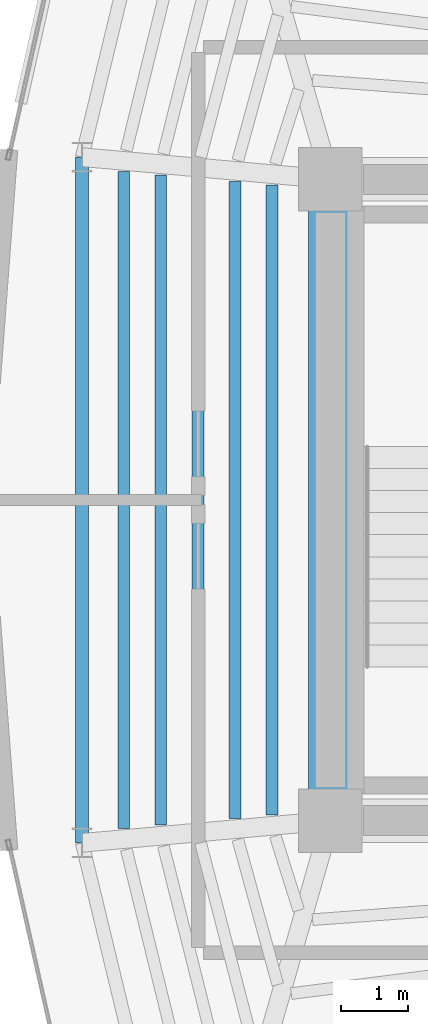
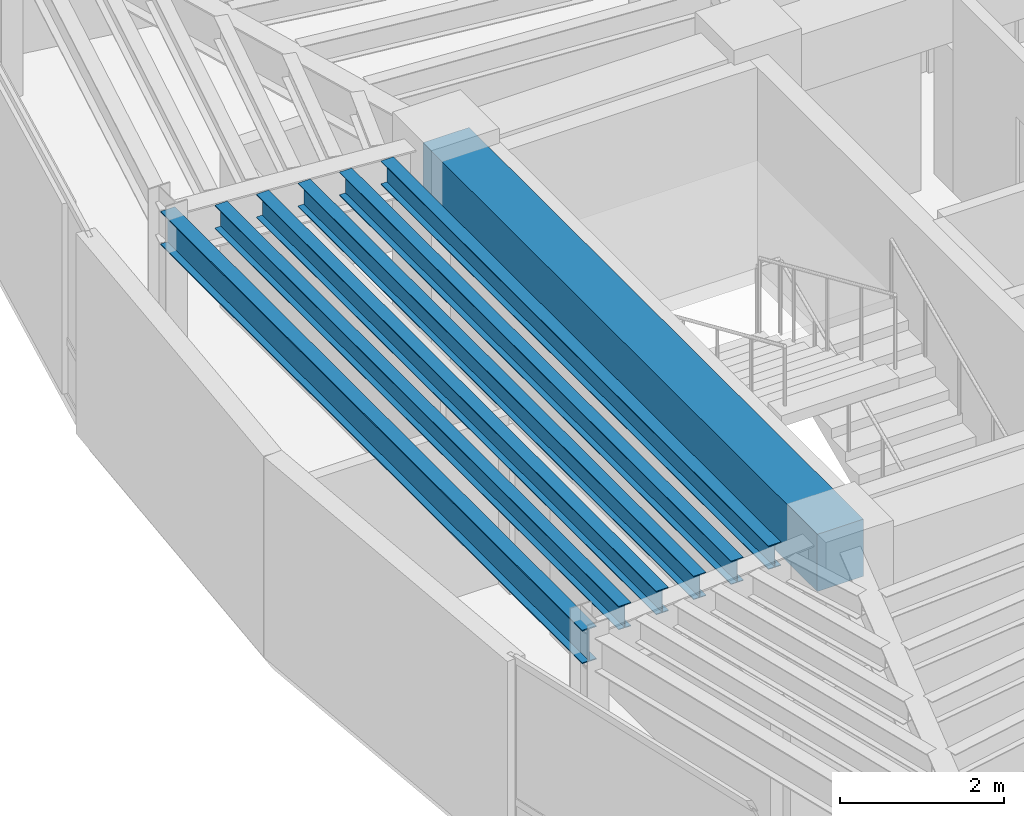
# One storey, part 4 of 14: 7 beams.
"""IFC4 building model written with IfcOpenShell, lengths in metres."""

from ifc_helpers import new_model, si_unit, direction, frame, origin, origin_2d, place, context, subcontext, project, spatial, rectangle, i_section, extrude, material, material_profile, profile_set, type_object, element, save


model = new_model("IFC4")

# Units and contexts
model_context = context("Model", 3, precision=1e-05, world=origin(), true_north=direction((0.0, 1.0)))
body_context = subcontext(model_context, "Body", "Model", "MODEL_VIEW")
ifc_project = project(units=[si_unit("LENGTHUNIT", "METRE"), si_unit("AREAUNIT", "SQUARE_METRE"), si_unit("VOLUMEUNIT", "CUBIC_METRE"), si_unit("PLANEANGLEUNIT", "RADIAN"), si_unit("MASSUNIT", "GRAM", prefix="KILO")], contexts=[model_context])

# Site, building, storey
site_placement = place(None, origin())
site = spatial("IfcSite", under=ifc_project, at=site_placement, CompositionType="ELEMENT")
building_placement = place(site_placement, origin())
building = spatial("IfcBuilding", under=site, at=building_placement, Name="Menara Vayukalpa", CompositionType="ELEMENT")
storey_placement = place(building_placement, frame((0.0, 0.0, 302.419921875)))
storey = spatial("IfcBuildingStorey", under=building, at=storey_placement, Name="L77", CompositionType="ELEMENT", Elevation=302.419921875)

# Beams
ifc_material_1 = material(Name="Concrete C60/75", Category="concrete")
ifc_material_profile_1 = material_profile(ifc_material_1, rectangle(XDim=0.64990234375, YDim=0.85009765625, at=origin_2d()), Name="RC 650x850")
ifc_profile_set_1 = profile_set([ifc_material_profile_1], Name="Concrete C60/75")
beam_type_1 = type_object("IfcBeamType", Name="BM-CB1", PredefinedType="BEAM", material=ifc_profile_set_1)
beam_1_placement = place(storey_placement, frame((17.800048828125, 17.199951171875, 2.55517578125), z_axis=(0.0, 1.0, 0.0), x_axis=(-1.0, 0.0, 0.0)))
element("IfcBeam", 1, at=beam_1_placement, inside=storey, type_object=beam_type_1, Name="L77 Core Tie Beam CBR7", PredefinedType="BEAM", context=body_context, shape_type="SweptSolid", body=[
    extrude(rectangle(XDim=0.64990234375, YDim=0.85009765625, at=origin_2d()), origin(), (0.0, 0.0, 1.0), 9.60009765625),
])
ifc_material_2 = material(Name="Steel S355", Category="steel")
ifc_material_profile_2 = material_profile(ifc_material_2, i_section(OverallWidth=0.175048828125, OverallDepth=0.35009765625, WebThickness=0.007080078125, FlangeThickness=0.010986328125, at=origin_2d()), Name="WF 350x175x7x11")
ifc_profile_set_2 = profile_set([ifc_material_profile_2], Name="Steel S355")
beam_type_2 = type_object("IfcBeamType", Name="BM-SJ3", PredefinedType="JOIST", material=ifc_profile_set_2)
beam_2_placement = place(storey_placement, frame((16.926513671875, 26.71826171875, 2.80517578125), z_axis=(0.0, -1.0, 0.0), x_axis=(1.0, 0.0, 0.0)))
element("IfcBeam", 2, at=beam_2_placement, inside=storey, type_object=beam_type_2, Name="L77 Secondary Floor Joist SJ05-1", PredefinedType="JOIST", context=body_context, shape_type="SweptSolid", body=[
    extrude(i_section(OverallWidth=0.175048828125, OverallDepth=0.35009765625, WebThickness=0.007080078125, FlangeThickness=0.010986328125, at=origin_2d()), origin(), (0.0, 0.0, 1.0), 9.4365234375),
])
beam_3_placement = place(storey_placement, frame((16.371337890625, 26.767822265625, 2.80517578125), z_axis=(0.0, -1.0, 0.0), x_axis=(1.0, 0.0, 0.0)))
element("IfcBeam", 3, at=beam_3_placement, inside=storey, type_object=beam_type_2, Name="L77 Secondary Floor Joist SJ05-2", PredefinedType="JOIST", context=body_context, shape_type="SweptSolid", body=[
    extrude(i_section(OverallWidth=0.175048828125, OverallDepth=0.35009765625, WebThickness=0.007080078125, FlangeThickness=0.010986328125, at=origin_2d()), origin(), (0.0, 0.0, 1.0), 9.53564453125),
])
beam_4_placement = place(storey_placement, frame((15.816162109375, 26.817626953125, 2.80517578125), z_axis=(0.0, -1.0, 0.0), x_axis=(1.0, 0.0, 0.0)))
element("IfcBeam", 4, at=beam_4_placement, inside=storey, type_object=beam_type_2, Name="L77 Secondary Floor Joist SJ05-3", PredefinedType="JOIST", context=body_context, shape_type="SweptSolid", body=[
    extrude(i_section(OverallWidth=0.175048828125, OverallDepth=0.35009765625, WebThickness=0.007080078125, FlangeThickness=0.010986328125, at=origin_2d()), origin(), (0.0, 0.0, 1.0), 9.63525390625),
])
beam_5_placement = place(storey_placement, frame((15.260986328125, 26.8671875, 2.80517578125), z_axis=(0.0, -1.0, 0.0), x_axis=(1.0, 0.0, 0.0)))
element("IfcBeam", 5, at=beam_5_placement, inside=storey, type_object=beam_type_2, Name="L77 Secondary Floor Joist SJ05-4", PredefinedType="JOIST", context=body_context, shape_type="SweptSolid", body=[
    extrude(i_section(OverallWidth=0.175048828125, OverallDepth=0.35009765625, WebThickness=0.007080078125, FlangeThickness=0.010986328125, at=origin_2d()), origin(), (0.0, 0.0, 1.0), 9.734375),
])
beam_6_placement = place(storey_placement, frame((14.705810546875, 26.9169921875, 2.80517578125), z_axis=(0.0, -1.0, 0.0), x_axis=(1.0, 0.0, 0.0)))
element("IfcBeam", 6, at=beam_6_placement, inside=storey, type_object=beam_type_2, Name="L77 Secondary Floor Joist SJ05-5", PredefinedType="JOIST", context=body_context, shape_type="SweptSolid", body=[
    extrude(i_section(OverallWidth=0.175048828125, OverallDepth=0.35009765625, WebThickness=0.007080078125, FlangeThickness=0.010986328125, at=origin_2d()), origin(), (0.0, 0.0, 1.0), 9.833984375),
])
ifc_material_3 = material(Name="Steel S355", Category="steel")
ifc_material_profile_3 = material_profile(ifc_material_3, i_section(OverallWidth=0.199951171875, OverallDepth=0.5, WebThickness=0.010009765625, FlangeThickness=0.01611328125, at=origin_2d()), Name="WF 500x200x10x16")
ifc_profile_set_3 = profile_set([ifc_material_profile_3], Name="Steel S355")
beam_type_3 = type_object("IfcBeamType", Name="BM-SP3", PredefinedType="SPANDREL", material=ifc_profile_set_3)
beam_7_placement = place(storey_placement, frame((14.081298828125, 27.1328125, 2.72998046875), z_axis=(0.0, -1.0, 0.0), x_axis=(1.0, 0.0, 0.0)))
element("IfcBeam", 7, at=beam_7_placement, inside=storey, type_object=beam_type_3, Name="L77 Perimeter Spandrel Beam SP05", PredefinedType="SPANDREL", context=body_context, shape_type="SweptSolid", body=[
    extrude(i_section(OverallWidth=0.199951171875, OverallDepth=0.5, WebThickness=0.010009765625, FlangeThickness=0.01611328125, at=origin_2d()), origin(), (0.0, 0.0, 1.0), 10.265625),
])

save(model, "model.ifc")
